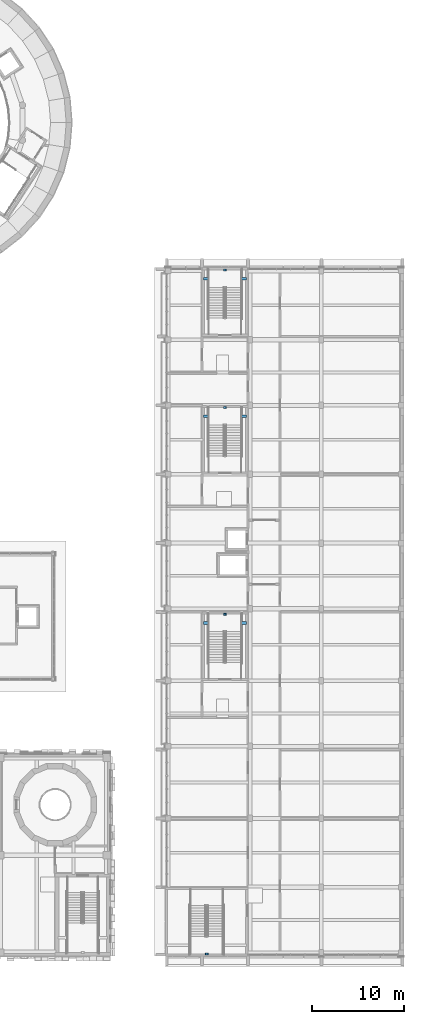
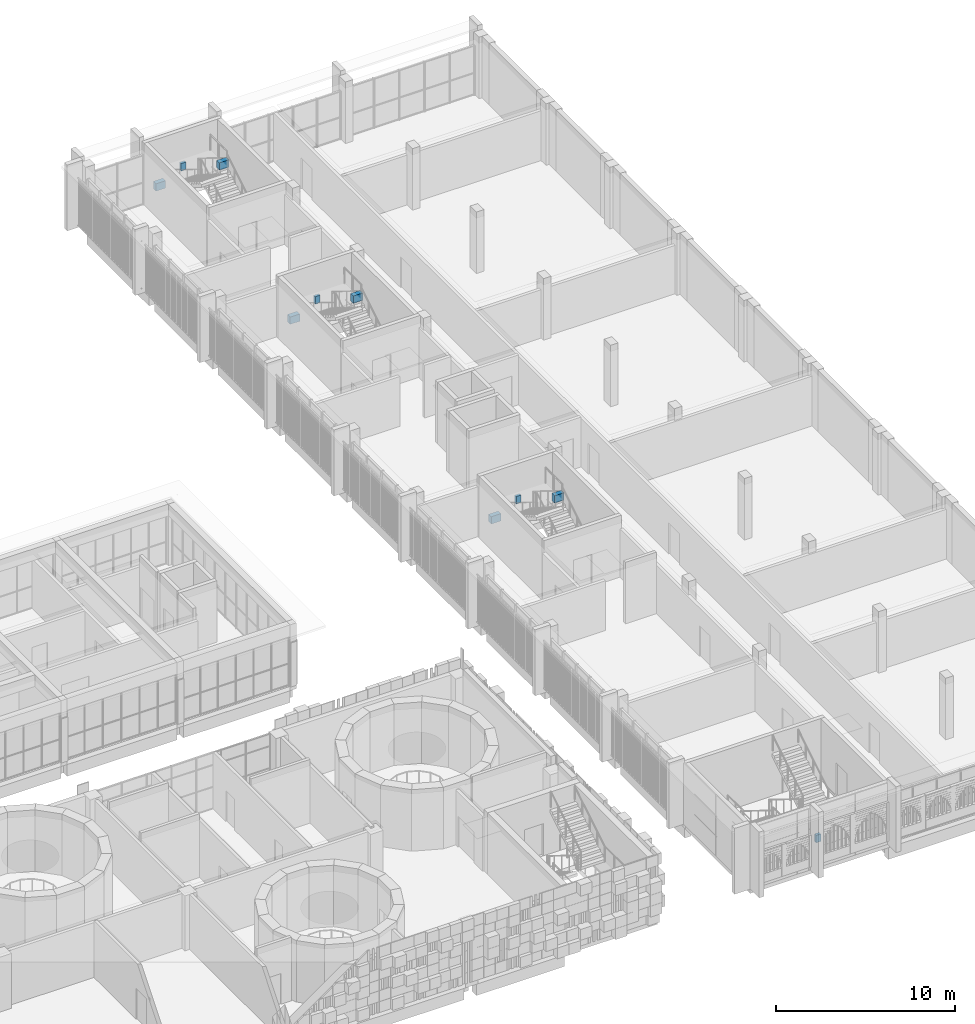
# One storey, part 39 of 92: 10 beams.
"""IFC4 building model written with IfcOpenShell, lengths in metres."""

from ifc_helpers import new_model, si_unit, direction, frame, origin, origin_2d, place, context, subcontext, project, spatial, rectangle, extrude, material, material_profile, profile_set, type_object, element, save


model = new_model("IFC4")

# Units and contexts
model_context = context("Model", 3, precision=1e-05, world=origin(), true_north=direction((0.0, 1.0)))
body_context = subcontext(model_context, "Body", "Model", "MODEL_VIEW")
ifc_project = project(units=[si_unit("LENGTHUNIT", "METRE"), si_unit("AREAUNIT", "SQUARE_METRE"), si_unit("VOLUMEUNIT", "CUBIC_METRE"), si_unit("PLANEANGLEUNIT", "RADIAN"), si_unit("MASSUNIT", "GRAM", prefix="KILO")], contexts=[model_context])

# Site, building, storey
site_placement = place(None, origin())
site = spatial("IfcSite", under=ifc_project, at=site_placement, CompositionType="ELEMENT")
building_placement = place(site_placement, origin())
building = spatial("IfcBuilding", under=site, at=building_placement, Name="Sun Court Science Centre", CompositionType="ELEMENT")
storey_placement = place(building_placement, frame((0.0, 0.0, 11.25)))
storey = spatial("IfcBuildingStorey", under=building, at=storey_placement, Name="L02", CompositionType="ELEMENT", Elevation=11.25)

# Beams
ifc_material = material(Name="Concrete C25/30", Category="concrete")
ifc_material_profile = material_profile(ifc_material, rectangle(XDim=0.300048828125, YDim=0.5, at=origin_2d()), Name="RC 300x500")
ifc_profile_set = profile_set([ifc_material_profile], Name="Concrete C25/30")
beam_type = type_object("IfcBeamType", Name="RC landing trimmer 300x500", PredefinedType="BEAM", material=ifc_profile_set)
beam_1_placement = place(storey_placement, frame((82.5, 6.14990234375, 1.800048828125), z_axis=(0.0, 1.0, 0.0), x_axis=(-1.0, 0.0, 0.0)))
element("IfcBeam", 1, at=beam_1_placement, inside=storey, type_object=beam_type, Name="SL1 landing 1 trimmer beam 21", PredefinedType="BEAM", context=body_context, shape_type="SweptSolid", body=[
    extrude(rectangle(XDim=0.300048828125, YDim=0.5, at=origin_2d()), origin(), (0.0, 0.0, 1.0), 0.190185546875),
])
for number, where, z_axis, x_axis, name in (
    (2, (86.85009765625, 42.303955078125, 1.800048828125), (-1.0, 0.0, 0.0), (0.0, -1.0, 0.0), "SL2 landing 1 trimmer beam 19"),
    (3, (82.14990234375, 42.303955078125, 1.800048828125), (1.0, 0.0, 0.0), (0.0, 1.0, 0.0), "SL2 landing 1 trimmer beam 20"),
):
    element("IfcBeam", number, at=place(storey_placement, frame(where, z_axis=z_axis, x_axis=x_axis)), inside=storey, type_object=beam_type, Name=name, PredefinedType="BEAM", context=body_context, shape_type="SweptSolid", body=[
        extrude(rectangle(XDim=0.300048828125, YDim=0.5, at=origin_2d()), origin(), (0.0, 0.0, 1.0), 0.6171875),
    ])
beam_2_placement = place(storey_placement, frame((84.5, 43.35009765625, 1.800048828125), z_axis=(0.0, -1.0, 0.0), x_axis=(1.0, 0.0, 0.0)))
element("IfcBeam", 4, at=beam_2_placement, inside=storey, type_object=beam_type, Name="SL2 landing 1 trimmer beam 21", PredefinedType="BEAM", context=body_context, shape_type="SweptSolid", body=[
    extrude(rectangle(XDim=0.300048828125, YDim=0.5, at=origin_2d()), origin(), (0.0, 0.0, 1.0), 0.190185546875),
])
for number, where, z_axis, x_axis, name in (
    (5, (86.85009765625, 64.803955078125, 1.800048828125), (-1.0, 0.0, 0.0), (0.0, -1.0, 0.0), "SL3 landing 1 trimmer beam 19"),
    (6, (82.14990234375, 64.803955078125, 1.800048828125), (1.0, 0.0, 0.0), (0.0, 1.0, 0.0), "SL3 landing 1 trimmer beam 20"),
):
    element("IfcBeam", number, at=place(storey_placement, frame(where, z_axis=z_axis, x_axis=x_axis)), inside=storey, type_object=beam_type, Name=name, PredefinedType="BEAM", context=body_context, shape_type="SweptSolid", body=[
        extrude(rectangle(XDim=0.300048828125, YDim=0.5, at=origin_2d()), origin(), (0.0, 0.0, 1.0), 0.6171875),
    ])
beam_3_placement = place(storey_placement, frame((84.5, 65.85009765625, 1.800048828125), z_axis=(0.0, -1.0, 0.0), x_axis=(1.0, 0.0, 0.0)))
element("IfcBeam", 7, at=beam_3_placement, inside=storey, type_object=beam_type, Name="SL3 landing 1 trimmer beam 21", PredefinedType="BEAM", context=body_context, shape_type="SweptSolid", body=[
    extrude(rectangle(XDim=0.300048828125, YDim=0.5, at=origin_2d()), origin(), (0.0, 0.0, 1.0), 0.190185546875),
])
for number, where, z_axis, x_axis, name in (
    (8, (86.85009765625, 79.803955078125, 1.800048828125), (-1.0, 0.0, 0.0), (0.0, -1.0, 0.0), "SL4 landing 1 trimmer beam 19"),
    (9, (82.14990234375, 79.803955078125, 1.800048828125), (1.0, 0.0, 0.0), (0.0, 1.0, 0.0), "SL4 landing 1 trimmer beam 20"),
):
    element("IfcBeam", number, at=place(storey_placement, frame(where, z_axis=z_axis, x_axis=x_axis)), inside=storey, type_object=beam_type, Name=name, PredefinedType="BEAM", context=body_context, shape_type="SweptSolid", body=[
        extrude(rectangle(XDim=0.300048828125, YDim=0.5, at=origin_2d()), origin(), (0.0, 0.0, 1.0), 0.6171875),
    ])
beam_4_placement = place(storey_placement, frame((84.5, 80.85009765625, 1.800048828125), z_axis=(0.0, -1.0, 0.0), x_axis=(1.0, 0.0, 0.0)))
element("IfcBeam", 10, at=beam_4_placement, inside=storey, type_object=beam_type, Name="SL4 landing 1 trimmer beam 21", PredefinedType="BEAM", context=body_context, shape_type="SweptSolid", body=[
    extrude(rectangle(XDim=0.300048828125, YDim=0.5, at=origin_2d()), origin(), (0.0, 0.0, 1.0), 0.190185546875),
])

save(model, "model.ifc")
